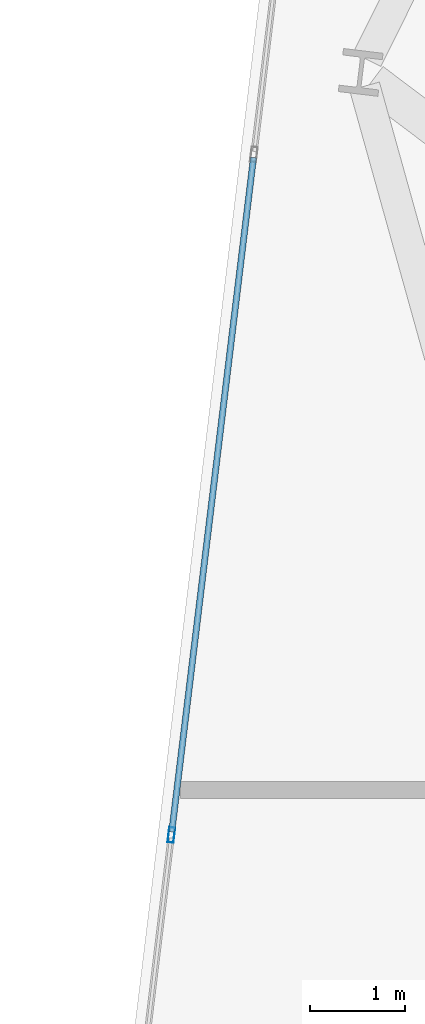
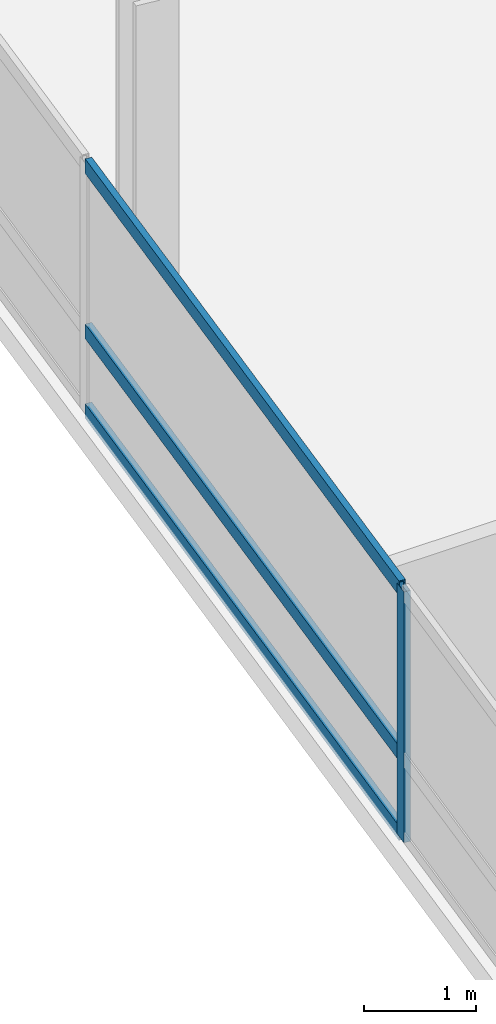
# One storey, part 6 of 25: 4 members, 1 element without a shape of its own.
"""IFC4 building model written with IfcOpenShell, lengths in metres."""

from ifc_helpers import new_model, si_unit, direction, frame, origin, origin_2d, place, context, subcontext, project, spatial, hollow_rectangle, extrude, material, layer, layer_set, material_profile, profile_set, type_object, element, aggregate, save


model = new_model("IFC4")

# Units and contexts
model_context = context("Model", 3, precision=1e-05, world=origin(), true_north=direction((0.0, 1.0)))
body_context = subcontext(model_context, "Body", "Model", "MODEL_VIEW")
ifc_project = project(units=[si_unit("LENGTHUNIT", "METRE"), si_unit("AREAUNIT", "SQUARE_METRE"), si_unit("VOLUMEUNIT", "CUBIC_METRE"), si_unit("PLANEANGLEUNIT", "RADIAN"), si_unit("MASSUNIT", "GRAM", prefix="KILO")], contexts=[model_context])

# Site, building, storey
site_placement = place(None, origin())
site = spatial("IfcSite", under=ifc_project, at=site_placement, CompositionType="ELEMENT")
building_placement = place(site_placement, origin())
building = spatial("IfcBuilding", under=site, at=building_placement, Name="Varnelok Gate Tower", CompositionType="ELEMENT")
storey_placement = place(building_placement, frame((0.0, 0.0, 132.800048828125)))
storey = spatial("IfcBuildingStorey", under=building, at=storey_placement, Name="L33", CompositionType="ELEMENT", Elevation=132.800048828125)

# Curtain wall, members
ifc_material = material(Name="Anodized Aluminum Alloy 6063-T6", Category="aluminium")
ifc_layer = layer(ifc_material, 0.179931640625)
ifc_layer_set = layer_set([ifc_layer], Name="Anodized Aluminum Alloy 6063-T6")
curtain_wall_type = type_object("IfcCurtainWallType", Name="CW3-HOTEL-VISION", PredefinedType="USERDEFINED", material=ifc_layer_set)
curtain_wall_placement = place(storey_placement, origin())
curtain_wall = element("IfcCurtainWall", 1, at=curtain_wall_placement, inside=storey, type_object=curtain_wall_type, Name="L33 West End Vision Curtain Wall", ObjectType="UNITISED CURTAIN WALL", PredefinedType="USERDEFINED")
ifc_material_profile_1 = material_profile(ifc_material, hollow_rectangle(XDim=0.06494140625, YDim=0.159912109375, WallThickness=0.00390625, at=origin_2d()), Name="ALU160X65X4")
ifc_profile_set_1 = profile_set([ifc_material_profile_1], Name="Anodized Aluminum Alloy 6063-T6")
member_type_1 = type_object("IfcMemberType", Name="CW-MULL-160", PredefinedType="MULLION", material=ifc_profile_set_1)
member_1_placement = place(storey_placement, frame((1.97607421875, 26.186279296875, 0.0), z_axis=(0.0, 0.0, 1.0), x_axis=(-0.99273188146, 0.120347046212, 0.0)))
member_1 = element("IfcMember", 2, at=member_1_placement, type_object=member_type_1, Name="CW3 mullion 3", PredefinedType="MULLION", context=body_context, shape_type="SweptSolid", body=[
    extrude(hollow_rectangle(XDim=0.06494140625, YDim=0.159912109375, WallThickness=0.00390625, at=origin_2d()), origin(), (0.0, 0.0, 1.0), 2.72998046875),
])
ifc_material_profile_2 = material_profile(ifc_material, hollow_rectangle(XDim=0.06494140625, YDim=0.159912109375, WallThickness=0.00390625, at=origin_2d()), Name="ALU160X65X4")
ifc_profile_set_2 = profile_set([ifc_material_profile_2], Name="Anodized Aluminum Alloy 6063-T6")
member_type_2 = type_object("IfcMemberType", Name="CW-TRAN-160", PredefinedType="USERDEFINED", material=ifc_profile_set_2)
member_2_placement = place(storey_placement, frame((1.97998046875, 26.218505859375, 0.032470703125), z_axis=(0.120344652138, 0.992732171687, 0.0), x_axis=(-0.992732171687, 0.120344652138, 0.0)))
member_2 = element("IfcMember", 3, at=member_2_placement, type_object=member_type_2, Name="CW3 transom 3.1", ObjectType="TRANSOM", PredefinedType="USERDEFINED", context=body_context, shape_type="SweptSolid", body=[
    extrude(hollow_rectangle(XDim=0.06494140625, YDim=0.159912109375, WallThickness=0.00390625, at=origin_2d()), origin(), (0.0, 0.0, 1.0), 7.134765625),
])
member_3_placement = place(storey_placement, frame((1.97998046875, 26.218505859375, 0.89990234375), z_axis=(0.120344652138, 0.992732171687, 0.0), x_axis=(-0.992732171687, 0.120344652138, 0.0)))
member_3 = element("IfcMember", 4, at=member_3_placement, type_object=member_type_2, Name="CW3 transom 3.2", ObjectType="TRANSOM", PredefinedType="USERDEFINED", context=body_context, shape_type="SweptSolid", body=[
    extrude(hollow_rectangle(XDim=0.06494140625, YDim=0.159912109375, WallThickness=0.00390625, at=origin_2d()), origin(), (0.0, 0.0, 1.0), 7.134765625),
])
member_4_placement = place(storey_placement, frame((1.97998046875, 26.218505859375, 2.697509765625), z_axis=(0.120344652138, 0.992732171687, 0.0), x_axis=(-0.992732171687, 0.120344652138, 0.0)))
member_4 = element("IfcMember", 5, at=member_4_placement, type_object=member_type_2, Name="CW3 transom 3.3", ObjectType="TRANSOM", PredefinedType="USERDEFINED", context=body_context, shape_type="SweptSolid", body=[
    extrude(hollow_rectangle(XDim=0.06494140625, YDim=0.159912109375, WallThickness=0.00390625, at=origin_2d()), origin(), (0.0, 0.0, 1.0), 7.134765625),
])
aggregate(curtain_wall, [member_1, member_2, member_3, member_4])

save(model, "model.ifc")
